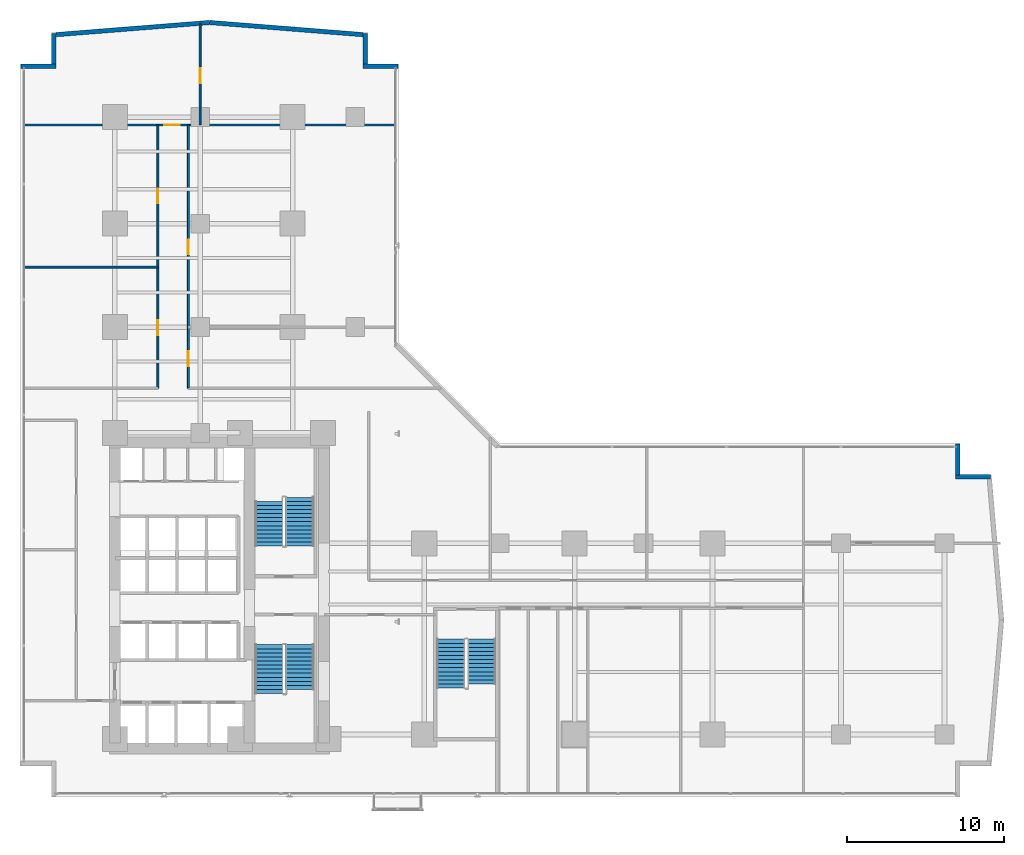
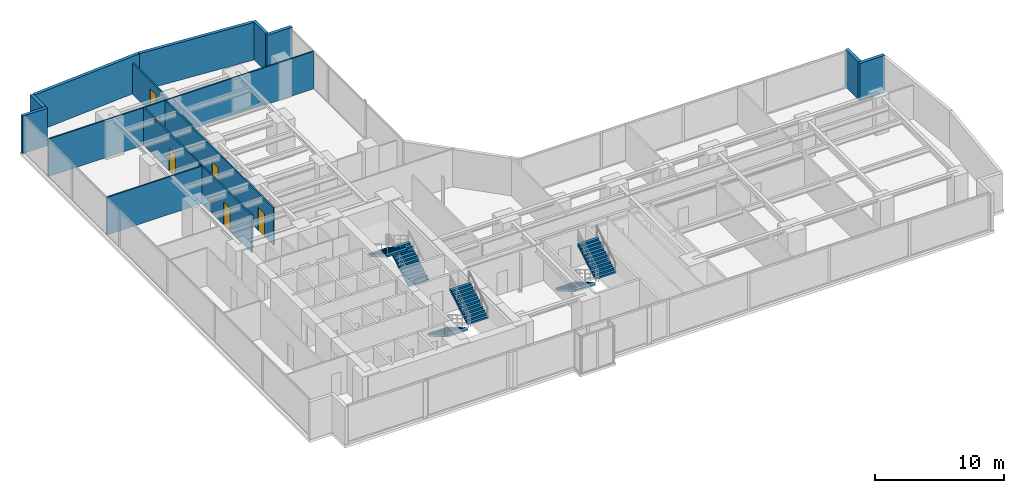
# One storey, part 24 of 28: 13 walls, 6 doors, 6 stair flights, 6 openings, 3 elements without a shape of their own.
"""IFC4 building model written with IfcOpenShell, lengths in metres."""

from ifc_helpers import new_model, si_unit, direction, frame, frame_2d, origin, place, context, subcontext, project, spatial, polyline, rectangle, outline, extrude, material, layer, layer_set, type_object, element, fill, aggregate, save


model = new_model("IFC4")

# Units and contexts
model_context = context("Model", 3, precision=1e-05, world=origin(), true_north=direction((0.0, 1.0)))
body_context = subcontext(model_context, "Body", "Model", "MODEL_VIEW")
ifc_project = project(units=[si_unit("LENGTHUNIT", "METRE"), si_unit("AREAUNIT", "SQUARE_METRE"), si_unit("VOLUMEUNIT", "CUBIC_METRE"), si_unit("PLANEANGLEUNIT", "RADIAN"), si_unit("MASSUNIT", "GRAM", prefix="KILO")], contexts=[model_context])

# Site, building, storey
site_placement = place(None, origin())
site = spatial("IfcSite", under=ifc_project, at=site_placement, CompositionType="ELEMENT")
building_placement = place(site_placement, origin())
building = spatial("IfcBuilding", under=site, at=building_placement, Name="Kolvaren Waterfront Exchange", CompositionType="ELEMENT")
storey_placement = place(building_placement, frame((0.0, 0.0, 75.199951171875)))
storey = spatial("IfcBuildingStorey", under=building, at=storey_placement, Name="L19", CompositionType="ELEMENT", Elevation=75.199951171875)

# Walls
ifc_material_1 = material(Name="Precast concrete C40/50", Category="concrete")
ifc_layer_1 = layer(ifc_material_1, 0.280029296875, Name="Precast concrete C40/50")
ifc_layer_set_1 = layer_set([ifc_layer_1], Name="Precast concrete C40/50")
wall_type_1 = type_object("IfcWallType", Name="ARC-EXT-TERR-280", PredefinedType="SOLIDWALL", material=ifc_layer_set_1)
wall_1_placement = place(storey_placement, frame((61.239990234375, 21.764892578125, 0.0), z_axis=(0.0, 0.0, 1.0), x_axis=(0.0, 1.0, 0.0)))
element("IfcWall", 1, at=wall_1_placement, inside=storey, type_object=wall_type_1, Name="L19 notched corner spandrel pier ENE-A", PredefinedType="SOLIDWALL", context=body_context, shape_type="SweptSolid", body=[
    extrude(rectangle(XDim=1.97509765625, YDim=0.280029296875, at=frame_2d((0.987548828125, 0.0))), origin(), (0.0, 0.0, 1.0), 3.5400390625),
])
for number, where, z_axis, x_axis, name in (
    (2, (61.10009765625, 21.639892578125, 0.0), (0.0, 0.0, 1.0), (1.0, 0.0, 0.0), "L19 notched corner spandrel pier ENE-B"),
    (3, (23.300048828125, 47.840087890625, 0.0), (0.0, 0.0, 1.0), (1.0, 0.0, 0.0), "L19 notched corner spandrel pier NNE-A"),
):
    element("IfcWall", number, at=place(storey_placement, frame(where, z_axis=z_axis, x_axis=x_axis)), inside=storey, type_object=wall_type_1, Name=name, PredefinedType="SOLIDWALL", context=body_context, shape_type="SweptSolid", body=[
        extrude(rectangle(XDim=2.239990234375, YDim=0.280029296875, at=frame_2d((1.1201171875, 0.0))), origin(), (0.0, 0.0, 1.0), 3.5400390625),
    ])
wall_2_placement = place(storey_placement, frame((23.43994140625, 47.97998046875, 0.0), z_axis=(0.0, 0.0, 1.0), x_axis=(0.0, 1.0, 0.0)))
element("IfcWall", 4, at=wall_2_placement, inside=storey, type_object=wall_type_1, Name="L19 notched corner spandrel pier NNE-B", PredefinedType="SOLIDWALL", context=body_context, shape_type="SweptSolid", body=[
    extrude(rectangle(XDim=1.9599609375, YDim=0.280029296875, at=frame_2d((0.97998046875, 0.0))), origin(), (0.0, 0.0, 1.0), 3.5400390625),
])
wall_3_placement = place(storey_placement, frame((1.4599609375, 47.840087890625, 0.0), z_axis=(0.0, 0.0, 1.0), x_axis=(1.0, 0.0, 0.0)))
element("IfcWall", 5, at=wall_3_placement, inside=storey, type_object=wall_type_1, Name="L19 notched corner spandrel pier NW-A", PredefinedType="SOLIDWALL", context=body_context, shape_type="SweptSolid", body=[
    extrude(rectangle(XDim=2.239990234375, YDim=0.280029296875, at=frame_2d((1.1201171875, 0.0))), origin(), (0.0, 0.0, 1.0), 3.5400390625),
])
wall_4_placement = place(storey_placement, frame((3.56005859375, 47.97998046875, 0.0), z_axis=(0.0, 0.0, 1.0), x_axis=(0.0, 1.0, 0.0)))
element("IfcWall", 6, at=wall_4_placement, inside=storey, type_object=wall_type_1, Name="L19 notched corner spandrel pier NW-B", PredefinedType="SOLIDWALL", context=body_context, shape_type="SweptSolid", body=[
    extrude(rectangle(XDim=1.9599609375, YDim=0.280029296875, at=frame_2d((0.97998046875, 0.0))), origin(), (0.0, 0.0, 1.0), 3.5400390625),
])
for number, where, z_axis, x_axis, name in (
    (7, (23.288330078125, 49.8642578125, 0.0), (0.0, 0.0, 1.0), (-0.996878337682, 0.078953023125, 0.0), "L19 north prow faceted facade wall 1"),
    (8, (13.49267578125, 50.638916015625, 0.0), (0.0, 0.0, 1.0), (-0.996878337682, -0.078953023125, 0.0), "L19 north prow faceted facade wall 2"),
):
    element("IfcWall", number, at=place(storey_placement, frame(where, z_axis=z_axis, x_axis=x_axis)), inside=storey, type_object=wall_type_1, Name=name, PredefinedType="SOLIDWALL", context=body_context, shape_type="SweptSolid", body=[
        extrude(rectangle(XDim=9.8115234375, YDim=0.280029296875, at=frame_2d((4.90576171875, 0.0))), origin(), (0.0, 0.0, 1.0), 3.5400390625),
    ])

# Wall, openings, doors
ifc_material_2 = material(Name="Acoustic gypsum steel stud", Category="steel")
ifc_layer_2 = layer(ifc_material_2, 0.125, Name="Acoustic gypsum steel stud")
ifc_layer_set_2 = layer_set([ifc_layer_2], Name="Acoustic gypsum steel stud")
wall_type_2 = type_object("IfcWallType", Name="ARC-PART-125", PredefinedType="PARTITIONING", material=ifc_layer_set_2)
wall_5_placement = place(storey_placement, frame((10.199951171875, 27.300048828125, 0.0), z_axis=(0.0, 0.0, 1.0), x_axis=(0.0, 1.0, 0.0)))
wall_5 = element("IfcWall", 9, at=wall_5_placement, inside=storey, type_object=wall_type_2, Name="L19 interior wall PW-L19-NW-CORR", PredefinedType="PARTITIONING", context=body_context, shape_type="SweptSolid", body=[
    extrude(rectangle(XDim=16.800048828125, YDim=0.125, at=frame_2d((8.39990234375, 0.0))), origin(), (0.0, 0.0, 1.0), 3.5400390625),
])
opening_1_placement = place(wall_5_placement, frame((3.389892578125, 0.0, 0.0)))
opening_1 = element("IfcOpeningElement", 10, at=opening_1_placement, cuts=wall_5, Name="Opening D02", PredefinedType="OPENING", context=body_context, shape_type="SweptSolid", body=[
    extrude(rectangle(XDim=0.949951171875, YDim=2.14990234375, at=frame_2d((0.47509765625, 1.074951171875))), frame((0.0, 0.072509765625, 0.0), z_axis=(0.0, -1.0, 0.0), x_axis=(1.0, 0.0, 0.0)), (0.0, 0.0, 1.0), 0.14501953125),
])
opening_2_placement = place(wall_5_placement, frame((11.7900390625, 0.0, 0.0)))
opening_2 = element("IfcOpeningElement", 11, at=opening_2_placement, cuts=wall_5, Name="Opening D02", PredefinedType="OPENING", context=body_context, shape_type="SweptSolid", body=[
    extrude(rectangle(XDim=0.949951171875, YDim=2.14990234375, at=frame_2d((0.47509765625, 1.074951171875))), frame((0.0, 0.072509765625, 0.0), z_axis=(0.0, -1.0, 0.0), x_axis=(1.0, 0.0, 0.0)), (0.0, 0.0, 1.0), 0.14501953125),
])
ifc_material_3 = material(Name="Oak veneer acoustic timber", Category="wood")
door_type_1 = type_object("IfcDoorType", Name="ARC-DR-950", OperationType="NOTDEFINED", PredefinedType="DOOR", material=ifc_material_3)
door_1_placement = place(opening_1_placement, origin())
door_1 = element("IfcDoor", 12, at=door_1_placement, inside=storey, type_object=door_type_1, Name="L19 door DR-L19-NW-D-1 (D02)", OperationType="SINGLE_SWING_LEFT", OverallHeight=2.14990234375, OverallWidth=0.949951171875, PredefinedType="DOOR", context=body_context, shape_type="SweptSolid", body=[
    extrude(rectangle(XDim=0.949951171875, YDim=2.14990234375, at=frame_2d((0.47509765625, 1.074951171875))), frame((0.0, 0.02490234375, 0.0), z_axis=(0.0, -1.0, 0.0), x_axis=(1.0, 0.0, 0.0)), (0.0, 0.0, 1.0), 0.050048828125),
])
fill(opening_1, door_1)
door_2_placement = place(opening_2_placement, origin())
door_2 = element("IfcDoor", 13, at=door_2_placement, inside=storey, type_object=door_type_1, Name="L19 door DR-L19-NW-D-2 (D02)", OperationType="SINGLE_SWING_RIGHT", OverallHeight=2.14990234375, OverallWidth=0.949951171875, PredefinedType="DOOR", context=body_context, shape_type="SweptSolid", body=[
    extrude(rectangle(XDim=0.949951171875, YDim=2.14990234375, at=frame_2d((0.47509765625, 1.074951171875))), frame((0.0, 0.02490234375, 0.0), z_axis=(0.0, -1.0, 0.0), x_axis=(1.0, 0.0, 0.0)), (0.0, 0.0, 1.0), 0.050048828125),
])
fill(opening_2, door_2)

# Wall
wall_6_placement = place(storey_placement, frame((1.639892578125, 35.030029296875, 0.0), z_axis=(0.0, 0.0, 1.0), x_axis=(1.0, 0.0, 0.0)))
element("IfcWall", 14, at=wall_6_placement, inside=storey, type_object=wall_type_2, Name="L19 interior wall PW-L19-NW-DIV-1", PredefinedType="PARTITIONING", context=body_context, shape_type="SweptSolid", body=[
    extrude(rectangle(XDim=8.56005859375, YDim=0.125, at=frame_2d((4.280029296875, 0.0))), origin(), (0.0, 0.0, 1.0), 3.5400390625),
])

# Wall, opening, door
wall_7_placement = place(storey_placement, frame((1.639892578125, 44.10009765625, 0.0), z_axis=(0.0, 0.0, 1.0), x_axis=(1.0, 0.0, 0.0)))
wall_7 = element("IfcWall", 15, at=wall_7_placement, inside=storey, type_object=wall_type_2, Name="L19 interior wall PW-L19-NTIP-S", PredefinedType="PARTITIONING", context=body_context, shape_type="SweptSolid", body=[
    extrude(rectangle(XDim=23.72021484375, YDim=0.125, at=frame_2d((11.860107421875, 0.0))), origin(), (0.0, 0.0, 1.0), 3.5400390625),
])
opening_3_placement = place(wall_7_placement, frame((8.9599609375, 0.0, 0.0)))
opening_3 = element("IfcOpeningElement", 16, at=opening_3_placement, cuts=wall_7, Name="Opening D03", PredefinedType="OPENING", context=body_context, shape_type="SweptSolid", body=[
    extrude(rectangle(XDim=1.0, YDim=2.199951171875, at=frame_2d((0.5, 1.10009765625))), frame((0.0, 0.072509765625, 0.0), z_axis=(0.0, -1.0, 0.0), x_axis=(1.0, 0.0, 0.0)), (0.0, 0.0, 1.0), 0.14501953125),
])
ifc_material_4 = material(Name="Oak veneer accessible timber", Category="wood")
door_type_2 = type_object("IfcDoorType", Name="ARC-DR-1000", OperationType="NOTDEFINED", PredefinedType="DOOR", material=ifc_material_4)
door_3_placement = place(opening_3_placement, origin())
door_3 = element("IfcDoor", 17, at=door_3_placement, inside=storey, type_object=door_type_2, Name="L19 door DR-L19-NTIPW-D (D03)", OperationType="SINGLE_SWING_LEFT", OverallHeight=2.199951171875, OverallWidth=1.0, PredefinedType="DOOR", context=body_context, shape_type="SweptSolid", body=[
    extrude(rectangle(XDim=1.0, YDim=2.199951171875, at=frame_2d((0.5, 1.10009765625))), frame((0.0, 0.02490234375, 0.0), z_axis=(0.0, -1.0, 0.0), x_axis=(1.0, 0.0, 0.0)), (0.0, 0.0, 1.0), 0.050048828125),
])
fill(opening_3, door_3)

wall_8_placement = place(storey_placement, frame((12.89990234375, 44.10009765625, 0.0), z_axis=(0.0, 0.0, 1.0), x_axis=(0.0, 1.0, 0.0)))
wall_8 = element("IfcWall", 18, at=wall_8_placement, inside=storey, type_object=wall_type_2, Name="L19 interior wall PW-L19-NTIP-DIV", PredefinedType="PARTITIONING", context=body_context, shape_type="SweptSolid", body=[
    extrude(rectangle(XDim=6.4599609375, YDim=0.125, at=frame_2d((3.22998046875, 0.0))), origin(), (0.0, 0.0, 1.0), 2.93994140625),
])
opening_4_placement = place(wall_8_placement, frame((2.677490234375, 0.0, 0.0)))
opening_4 = element("IfcOpeningElement", 19, at=opening_4_placement, cuts=wall_8, Name="Opening D02", PredefinedType="OPENING", context=body_context, shape_type="SweptSolid", body=[
    extrude(rectangle(XDim=0.949951171875, YDim=2.14990234375, at=frame_2d((0.47509765625, 1.074951171875))), frame((0.0, 0.072509765625, 0.0), z_axis=(0.0, -1.0, 0.0), x_axis=(1.0, 0.0, 0.0)), (0.0, 0.0, 1.0), 0.14501953125),
])
door_4_placement = place(opening_4_placement, origin())
door_4 = element("IfcDoor", 20, at=door_4_placement, inside=storey, type_object=door_type_1, Name="L19 door DR-L19-NTIPE-D (D02)", OperationType="SINGLE_SWING_RIGHT", OverallHeight=2.14990234375, OverallWidth=0.949951171875, PredefinedType="DOOR", context=body_context, shape_type="SweptSolid", body=[
    extrude(rectangle(XDim=0.949951171875, YDim=2.14990234375, at=frame_2d((0.47509765625, 1.074951171875))), frame((0.0, 0.02490234375, 0.0), z_axis=(0.0, -1.0, 0.0), x_axis=(1.0, 0.0, 0.0)), (0.0, 0.0, 1.0), 0.050048828125),
])
fill(opening_4, door_4)

# Wall, openings, doors
wall_9_placement = place(storey_placement, frame((12.139892578125, 27.300048828125, 0.0), z_axis=(0.0, 0.0, 1.0), x_axis=(0.0, 1.0, 0.0)))
wall_9 = element("IfcWall", 21, at=wall_9_placement, inside=storey, type_object=wall_type_2, Name="L19 interior wall PW-L19-NE-CORR", PredefinedType="PARTITIONING", context=body_context, shape_type="SweptSolid", body=[
    extrude(rectangle(XDim=16.800048828125, YDim=0.125, at=frame_2d((8.39990234375, 0.0))), origin(), (0.0, 0.0, 1.0), 3.5400390625),
])
opening_5_placement = place(wall_9_placement, frame((1.4033203125, 0.0, 0.0)))
opening_5 = element("IfcOpeningElement", 22, at=opening_5_placement, cuts=wall_9, Name="Opening D02", PredefinedType="OPENING", context=body_context, shape_type="SweptSolid", body=[
    extrude(rectangle(XDim=0.949951171875, YDim=2.14990234375, at=frame_2d((0.47509765625, 1.074951171875))), frame((0.0, 0.072509765625, 0.0), z_axis=(0.0, -1.0, 0.0), x_axis=(1.0, 0.0, 0.0)), (0.0, 0.0, 1.0), 0.14501953125),
])
opening_6_placement = place(wall_9_placement, frame((8.5341796875, 0.0, 0.0)))
opening_6 = element("IfcOpeningElement", 23, at=opening_6_placement, cuts=wall_9, Name="Opening D02", PredefinedType="OPENING", context=body_context, shape_type="SweptSolid", body=[
    extrude(rectangle(XDim=0.949951171875, YDim=2.14990234375, at=frame_2d((0.47509765625, 1.074951171875))), frame((0.0, 0.072509765625, 0.0), z_axis=(0.0, -1.0, 0.0), x_axis=(1.0, 0.0, 0.0)), (0.0, 0.0, 1.0), 0.14501953125),
])
door_5_placement = place(opening_5_placement, origin())
door_5 = element("IfcDoor", 24, at=door_5_placement, inside=storey, type_object=door_type_1, Name="L19 door DR-L19-NE-D-1 (D02)", OperationType="SINGLE_SWING_LEFT", OverallHeight=2.14990234375, OverallWidth=0.949951171875, PredefinedType="DOOR", context=body_context, shape_type="SweptSolid", body=[
    extrude(rectangle(XDim=0.949951171875, YDim=2.14990234375, at=frame_2d((0.47509765625, 1.074951171875))), frame((0.0, 0.02490234375, 0.0), z_axis=(0.0, -1.0, 0.0), x_axis=(1.0, 0.0, 0.0)), (0.0, 0.0, 1.0), 0.050048828125),
])
fill(opening_5, door_5)
door_6_placement = place(opening_6_placement, origin())
door_6 = element("IfcDoor", 25, at=door_6_placement, inside=storey, type_object=door_type_1, Name="L19 door DR-L19-NE-D-2 (D02)", OperationType="SINGLE_SWING_RIGHT", OverallHeight=2.14990234375, OverallWidth=0.949951171875, PredefinedType="DOOR", context=body_context, shape_type="SweptSolid", body=[
    extrude(rectangle(XDim=0.949951171875, YDim=2.14990234375, at=frame_2d((0.47509765625, 1.074951171875))), frame((0.0, 0.02490234375, 0.0), z_axis=(0.0, -1.0, 0.0), x_axis=(1.0, 0.0, 0.0)), (0.0, 0.0, 1.0), 0.050048828125),
])
fill(opening_6, door_6)

# Stair, stair flights
ifc_material_5 = material(Name="Concrete C40/50", Category="concrete")
stair_type = type_object("IfcStairType", Name="ARC-STAIR-3800", PredefinedType="HALF_TURN_STAIR", material=ifc_material_5)
stair_1_placement = place(storey_placement, origin())
stair_1 = element("IfcStair", 26, at=stair_1_placement, inside=storey, type_object=stair_type, Name="L19 Smoke-proof exit stair ST1", PredefinedType="HALF_TURN_STAIR")
stair_flight_type = type_object("IfcStairFlightType", Name="ARC-FLIGHT-3800", PredefinedType="STRAIGHT", material=ifc_material_5)
stair_flight_1_placement = place(storey_placement, frame((17.300048828125, 10.929931640625, 0.0), z_axis=(0.0, 0.0, 1.0), x_axis=(0.0, -1.0, 0.0)))
stair_flight_1 = element("IfcStairFlight", 27, at=stair_flight_1_placement, type_object=stair_flight_type, Name="ST1 flight 1", NumberOfRisers=13, NumberOfTreads=12, PredefinedType="STRAIGHT", RiserHeight=0.152, TreadLength=0.26, context=body_context, shape_type="SweptSolid", body=[
    extrude(outline(polyline([(0.0, 0.0), (0.0, 0.152099609375), (0.260009765625, 0.152099609375), (0.260009765625, 0.303955078125), (0.52001953125, 0.303955078125), (0.52001953125, 0.4560546875), (0.780029296875, 0.4560546875), (0.780029296875, 0.60791015625), (1.0400390625, 0.60791015625), (1.0400390625, 0.760009765625), (1.300048828125, 0.760009765625), (1.300048828125, 0.912109375), (1.56005859375, 0.912109375), (1.56005859375, 1.06396484375), (1.820068359375, 1.06396484375), (1.820068359375, 1.216064453125), (2.080078125, 1.216064453125), (2.080078125, 1.367919921875), (2.340087890625, 1.367919921875), (2.340087890625, 1.52001953125), (2.60009765625, 1.52001953125), (2.60009765625, 1.672119140625), (2.860107421875, 1.672119140625), (2.860107421875, 1.823974609375), (3.1201171875, 1.823974609375), (3.1201171875, 1.97607421875), (3.1201171875, 1.650390625), (0.297119140625, 0.0), (0.0, 0.0)])), frame((0.0, 0.89990234375, 0.0), z_axis=(0.0, -1.0, 0.0), x_axis=(1.0, 0.0, 0.0)), (0.0, 0.0, 1.0), 1.800048828125),
])
stair_flight_2_placement = place(storey_placement, frame((19.260009765625, 8.070068359375, 1.97607421875), z_axis=(0.0, 0.0, 1.0), x_axis=(0.0, 1.0, 0.0)))
stair_flight_2 = element("IfcStairFlight", 28, at=stair_flight_2_placement, type_object=stair_flight_type, Name="ST1 flight 2", NumberOfRisers=12, NumberOfTreads=11, PredefinedType="STRAIGHT", RiserHeight=0.152, TreadLength=0.26, context=body_context, shape_type="SweptSolid", body=[
    extrude(outline(polyline([(0.0, 0.0), (0.0, 0.152099609375), (0.260009765625, 0.152099609375), (0.260009765625, 0.303955078125), (0.52001953125, 0.303955078125), (0.52001953125, 0.4560546875), (0.780029296875, 0.4560546875), (0.780029296875, 0.60791015625), (1.0400390625, 0.60791015625), (1.0400390625, 0.760009765625), (1.300048828125, 0.760009765625), (1.300048828125, 0.912109375), (1.56005859375, 0.912109375), (1.56005859375, 1.06396484375), (1.820068359375, 1.06396484375), (1.820068359375, 1.216064453125), (2.080078125, 1.216064453125), (2.080078125, 1.367919921875), (2.340087890625, 1.367919921875), (2.340087890625, 1.52001953125), (2.60009765625, 1.52001953125), (2.60009765625, 1.672119140625), (2.860107421875, 1.672119140625), (2.860107421875, 1.823974609375), (2.860107421875, 1.498291015625), (0.297119140625, 0.0), (0.0, 0.0)])), frame((0.0, 0.89990234375, 0.0), z_axis=(0.0, -1.0, 0.0), x_axis=(1.0, 0.0, 0.0)), (0.0, 0.0, 1.0), 1.800048828125),
])
aggregate(stair_1, [stair_flight_1, stair_flight_2])

stair_2_placement = place(storey_placement, origin())
stair_2 = element("IfcStair", 29, at=stair_2_placement, inside=storey, type_object=stair_type, Name="L19 Smoke-proof exit stair ST2", PredefinedType="HALF_TURN_STAIR")
stair_flight_3_placement = place(storey_placement, frame((19.260009765625, 17.219970703125, 0.0), z_axis=(0.0, 0.0, 1.0), x_axis=(0.0, 1.0, 0.0)))
stair_flight_3 = element("IfcStairFlight", 30, at=stair_flight_3_placement, type_object=stair_flight_type, Name="ST2 flight 1", NumberOfRisers=13, NumberOfTreads=12, PredefinedType="STRAIGHT", RiserHeight=0.152, TreadLength=0.26, context=body_context, shape_type="SweptSolid", body=[
    extrude(outline(polyline([(0.0, 0.0), (0.0, 0.152099609375), (0.260009765625, 0.152099609375), (0.260009765625, 0.303955078125), (0.52001953125, 0.303955078125), (0.52001953125, 0.4560546875), (0.780029296875, 0.4560546875), (0.780029296875, 0.60791015625), (1.0400390625, 0.60791015625), (1.0400390625, 0.760009765625), (1.300048828125, 0.760009765625), (1.300048828125, 0.912109375), (1.56005859375, 0.912109375), (1.56005859375, 1.06396484375), (1.820068359375, 1.06396484375), (1.820068359375, 1.216064453125), (2.080078125, 1.216064453125), (2.080078125, 1.367919921875), (2.340087890625, 1.367919921875), (2.340087890625, 1.52001953125), (2.60009765625, 1.52001953125), (2.60009765625, 1.672119140625), (2.860107421875, 1.672119140625), (2.860107421875, 1.823974609375), (3.1201171875, 1.823974609375), (3.1201171875, 1.97607421875), (3.1201171875, 1.650390625), (0.297119140625, 0.0), (0.0, 0.0)])), frame((0.0, 0.89990234375, 0.0), z_axis=(0.0, -1.0, 0.0), x_axis=(1.0, 0.0, 0.0)), (0.0, 0.0, 1.0), 1.800048828125),
])
stair_flight_4_placement = place(storey_placement, frame((17.300048828125, 20.080078125, 1.97607421875), z_axis=(0.0, 0.0, 1.0), x_axis=(0.0, -1.0, 0.0)))
stair_flight_4 = element("IfcStairFlight", 31, at=stair_flight_4_placement, type_object=stair_flight_type, Name="ST2 flight 2", NumberOfRisers=12, NumberOfTreads=11, PredefinedType="STRAIGHT", RiserHeight=0.152, TreadLength=0.26, context=body_context, shape_type="SweptSolid", body=[
    extrude(outline(polyline([(0.0, 0.0), (0.0, 0.152099609375), (0.260009765625, 0.152099609375), (0.260009765625, 0.303955078125), (0.52001953125, 0.303955078125), (0.52001953125, 0.4560546875), (0.780029296875, 0.4560546875), (0.780029296875, 0.60791015625), (1.0400390625, 0.60791015625), (1.0400390625, 0.760009765625), (1.300048828125, 0.760009765625), (1.300048828125, 0.912109375), (1.56005859375, 0.912109375), (1.56005859375, 1.06396484375), (1.820068359375, 1.06396484375), (1.820068359375, 1.216064453125), (2.080078125, 1.216064453125), (2.080078125, 1.367919921875), (2.340087890625, 1.367919921875), (2.340087890625, 1.52001953125), (2.60009765625, 1.52001953125), (2.60009765625, 1.672119140625), (2.860107421875, 1.672119140625), (2.860107421875, 1.823974609375), (2.860107421875, 1.498291015625), (0.297119140625, 0.0), (0.0, 0.0)])), frame((0.0, 0.89990234375, 0.0), z_axis=(0.0, -1.0, 0.0), x_axis=(1.0, 0.0, 0.0)), (0.0, 0.0, 1.0), 1.800048828125),
])
aggregate(stair_2, [stair_flight_3, stair_flight_4])

stair_3_placement = place(storey_placement, origin())
stair_3 = element("IfcStair", 32, at=stair_3_placement, inside=storey, type_object=stair_type, Name="L19 Exit stair ST3", PredefinedType="HALF_TURN_STAIR")
stair_flight_5_placement = place(storey_placement, frame((28.89990234375, 11.280029296875, 0.0), z_axis=(0.0, 0.0, 1.0), x_axis=(0.0, -1.0, 0.0)))
stair_flight_5 = element("IfcStairFlight", 33, at=stair_flight_5_placement, type_object=stair_flight_type, Name="ST3 flight 1", NumberOfRisers=13, NumberOfTreads=12, PredefinedType="STRAIGHT", RiserHeight=0.152, TreadLength=0.26, context=body_context, shape_type="SweptSolid", body=[
    extrude(outline(polyline([(0.0, 0.0), (0.0, 0.152099609375), (0.260009765625, 0.152099609375), (0.260009765625, 0.303955078125), (0.52001953125, 0.303955078125), (0.52001953125, 0.4560546875), (0.780029296875, 0.4560546875), (0.780029296875, 0.60791015625), (1.0400390625, 0.60791015625), (1.0400390625, 0.760009765625), (1.300048828125, 0.760009765625), (1.300048828125, 0.912109375), (1.56005859375, 0.912109375), (1.56005859375, 1.06396484375), (1.820068359375, 1.06396484375), (1.820068359375, 1.216064453125), (2.080078125, 1.216064453125), (2.080078125, 1.367919921875), (2.340087890625, 1.367919921875), (2.340087890625, 1.52001953125), (2.60009765625, 1.52001953125), (2.60009765625, 1.672119140625), (2.860107421875, 1.672119140625), (2.860107421875, 1.823974609375), (3.1201171875, 1.823974609375), (3.1201171875, 1.97607421875), (3.1201171875, 1.650390625), (0.297119140625, 0.0), (0.0, 0.0)])), frame((0.0, 0.89990234375, 0.0), z_axis=(0.0, -1.0, 0.0), x_axis=(1.0, 0.0, 0.0)), (0.0, 0.0, 1.0), 1.800048828125),
])
stair_flight_6_placement = place(storey_placement, frame((30.860107421875, 8.419921875, 1.97607421875), z_axis=(0.0, 0.0, 1.0), x_axis=(0.0, 1.0, 0.0)))
stair_flight_6 = element("IfcStairFlight", 34, at=stair_flight_6_placement, type_object=stair_flight_type, Name="ST3 flight 2", NumberOfRisers=12, NumberOfTreads=11, PredefinedType="STRAIGHT", RiserHeight=0.152, TreadLength=0.26, context=body_context, shape_type="SweptSolid", body=[
    extrude(outline(polyline([(0.0, 0.0), (0.0, 0.152099609375), (0.260009765625, 0.152099609375), (0.260009765625, 0.303955078125), (0.52001953125, 0.303955078125), (0.52001953125, 0.4560546875), (0.780029296875, 0.4560546875), (0.780029296875, 0.60791015625), (1.0400390625, 0.60791015625), (1.0400390625, 0.760009765625), (1.300048828125, 0.760009765625), (1.300048828125, 0.912109375), (1.56005859375, 0.912109375), (1.56005859375, 1.06396484375), (1.820068359375, 1.06396484375), (1.820068359375, 1.216064453125), (2.080078125, 1.216064453125), (2.080078125, 1.367919921875), (2.340087890625, 1.367919921875), (2.340087890625, 1.52001953125), (2.60009765625, 1.52001953125), (2.60009765625, 1.672119140625), (2.860107421875, 1.672119140625), (2.860107421875, 1.823974609375), (2.860107421875, 1.498291015625), (0.297119140625, 0.0), (0.0, 0.0)])), frame((0.0, 0.89990234375, 0.0), z_axis=(0.0, -1.0, 0.0), x_axis=(1.0, 0.0, 0.0)), (0.0, 0.0, 1.0), 1.800048828125),
])
aggregate(stair_3, [stair_flight_5, stair_flight_6])

save(model, "model.ifc")
